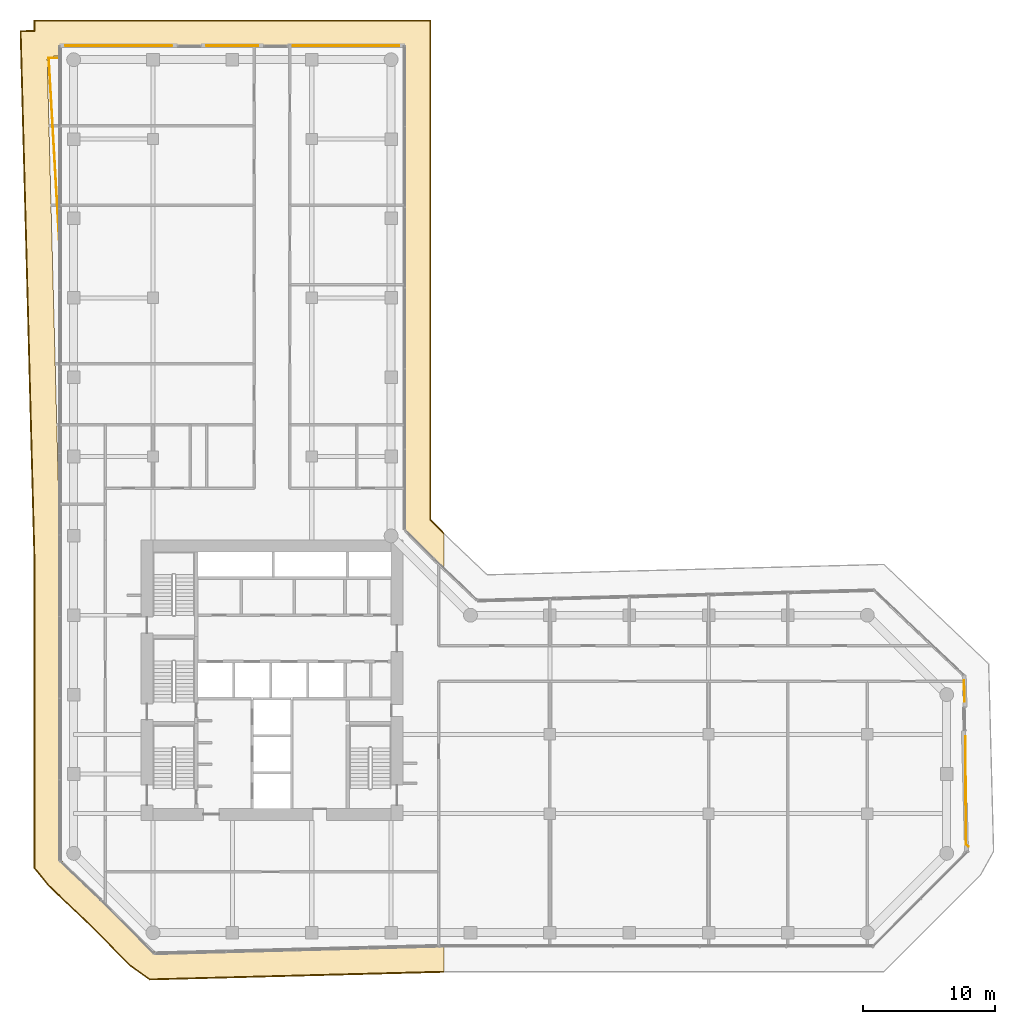
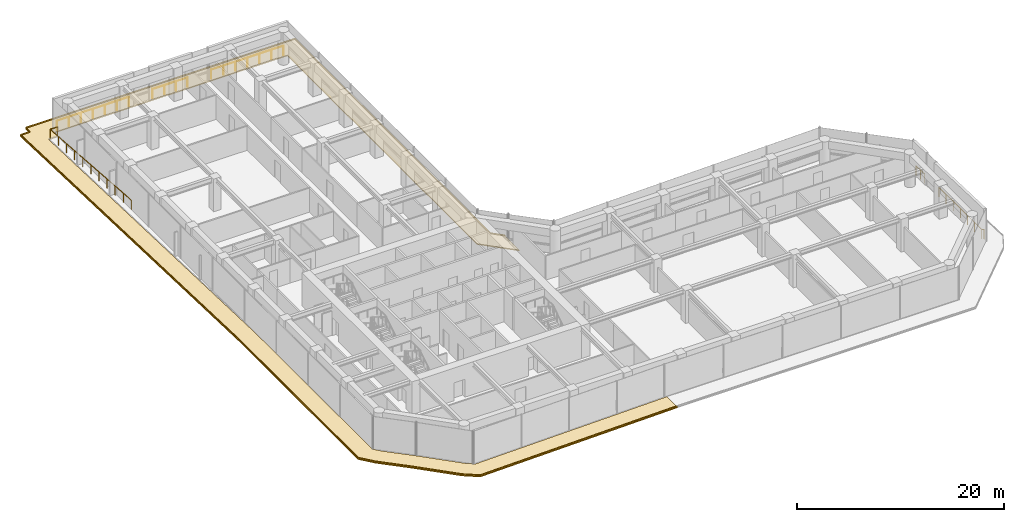
# One storey, part 29 of 29: 6 railings, 2 coverings.
"""IFC4 building model written with IfcOpenShell, lengths in metres."""

from ifc_helpers import new_model, si_unit, direction, frame, origin, origin_2d, place, context, subcontext, project, spatial, polyline, circle, outline, extrude, material, layer, layer_set, type_object, element, save


model = new_model("IFC4")

# Units and contexts
model_context = context("Model", 3, precision=1e-05, world=origin(), true_north=direction((0.0, 1.0)))
body_context = subcontext(model_context, "Body", "Model", "MODEL_VIEW")
ifc_project = project(units=[si_unit("LENGTHUNIT", "METRE"), si_unit("AREAUNIT", "SQUARE_METRE"), si_unit("VOLUMEUNIT", "CUBIC_METRE"), si_unit("PLANEANGLEUNIT", "RADIAN"), si_unit("MASSUNIT", "GRAM", prefix="KILO")], contexts=[model_context])

# Site, building, storey
site_placement = place(None, origin())
site = spatial("IfcSite", under=ifc_project, at=site_placement, CompositionType="ELEMENT")
building_placement = place(site_placement, origin())
building = spatial("IfcBuilding", under=site, at=building_placement, Name="Welwitschia Terrace Campus", CompositionType="ELEMENT")
storey_placement = place(building_placement, frame((0.0, 0.0, 58.39990234375)))
storey = spatial("IfcBuildingStorey", under=building, at=storey_placement, Name="L13", CompositionType="ELEMENT", Elevation=58.39990234375)

# Railings
ifc_material_1 = material(Name="Stainless steel grade 316", Category="steel")
railing_type = type_object("IfcRailingType", Name="Guard 1100", PredefinedType="GUARDRAIL", material=ifc_material_1)
railing_1_placement = place(storey_placement, frame((-1.05810546875, 47.89892578125, 0.0)))
element("IfcRailing", 1, at=railing_1_placement, inside=storey, type_object=railing_type, Name="Guard floor edge L13.0", PredefinedType="GUARDRAIL", context=body_context, shape_type="SweptSolid", body=[
    extrude(circle(Radius=0.02392578125, at=origin_2d()), frame((0.0, 0.0, 1.076171875), z_axis=(-0.057700925633, 0.998333913669, 0.0), x_axis=(-0.998333913669, -0.057700925633, 0.0)), (0.0, 0.0, 1.0), 14.254638671875),
    extrude(circle(Radius=0.02392578125, at=origin_2d()), frame((-0.822509765625, 14.23095703125, 1.076171875), z_axis=(0.999929523869, 0.011872122575, 0.0), x_axis=(-0.011872122575, 0.999929523869, 0.0)), (0.0, 0.0, 1.0), 0.822509765625),
    extrude(circle(Radius=0.02099609375, at=origin_2d()), origin(), (0.0, 0.0, 1.0), 1.052001953125),
    extrude(circle(Radius=0.02099609375, at=origin_2d()), frame((-0.082275390625, 1.423095703125, 0.0)), (0.0, 0.0, 1.0), 1.052001953125),
    extrude(circle(Radius=0.02099609375, at=origin_2d()), frame((-0.16455078125, 2.84619140625, 0.0)), (0.0, 0.0, 1.0), 1.052001953125),
    extrude(circle(Radius=0.02099609375, at=origin_2d()), frame((-0.246826171875, 4.269287109375, 0.0)), (0.0, 0.0, 1.0), 1.052001953125),
    extrude(circle(Radius=0.02099609375, at=origin_2d()), frame((-0.3291015625, 5.6923828125, 0.0)), (0.0, 0.0, 1.0), 1.052001953125),
    extrude(circle(Radius=0.02099609375, at=origin_2d()), frame((-0.4111328125, 7.115478515625, 0.0)), (0.0, 0.0, 1.0), 1.052001953125),
    extrude(circle(Radius=0.02099609375, at=origin_2d()), frame((-0.493408203125, 8.53857421875, 0.0)), (0.0, 0.0, 1.0), 1.052001953125),
    extrude(circle(Radius=0.02099609375, at=origin_2d()), frame((-0.57568359375, 9.961669921875, 0.0)), (0.0, 0.0, 1.0), 1.052001953125),
    extrude(circle(Radius=0.02099609375, at=origin_2d()), frame((-0.657958984375, 11.384765625, 0.0)), (0.0, 0.0, 1.0), 1.052001953125),
    extrude(circle(Radius=0.02099609375, at=origin_2d()), frame((-0.740234375, 12.807861328125, 0.0)), (0.0, 0.0, 1.0), 1.052001953125),
    extrude(circle(Radius=0.02099609375, at=origin_2d()), frame((-0.822509765625, 14.23095703125, 0.0)), (0.0, 0.0, 1.0), 1.052001953125),
    extrude(circle(Radius=0.02099609375, at=origin_2d()), frame((0.0, 14.24072265625, 0.0)), (0.0, 0.0, 1.0), 1.052001953125),
])
railing_2_placement = place(storey_placement, frame((-0.60791015625, 63.05810546875, 0.0)))
element("IfcRailing", 2, at=railing_2_placement, inside=storey, type_object=railing_type, Name="Guard floor edge L13.1", PredefinedType="GUARDRAIL", context=body_context, shape_type="SweptSolid", body=[
    extrude(circle(Radius=0.02392578125, at=origin_2d()), frame((0.0, 0.0, 1.076171875), z_axis=(1.0, 0.0, 0.0), x_axis=(0.0, 1.0, 0.0)), (0.0, 0.0, 1.0), 8.030517578125),
    extrude(circle(Radius=0.02099609375, at=origin_2d()), origin(), (0.0, 0.0, 1.0), 1.052001953125),
    extrude(circle(Radius=0.02099609375, at=origin_2d()), frame((1.33837890625, 0.0, 0.0)), (0.0, 0.0, 1.0), 1.052001953125),
    extrude(circle(Radius=0.02099609375, at=origin_2d()), frame((2.6767578125, 0.0, 0.0)), (0.0, 0.0, 1.0), 1.052001953125),
    extrude(circle(Radius=0.02099609375, at=origin_2d()), frame((4.01513671875, 0.0, 0.0)), (0.0, 0.0, 1.0), 1.052001953125),
    extrude(circle(Radius=0.02099609375, at=origin_2d()), frame((5.353759765625, 0.0, 0.0)), (0.0, 0.0, 1.0), 1.052001953125),
    extrude(circle(Radius=0.02099609375, at=origin_2d()), frame((6.692138671875, 0.0, 0.0)), (0.0, 0.0, 1.0), 1.052001953125),
    extrude(circle(Radius=0.02099609375, at=origin_2d()), frame((8.030517578125, 0.0, 0.0)), (0.0, 0.0, 1.0), 1.052001953125),
])
railing_3_placement = place(storey_placement, frame((10.048583984375, 63.05810546875, 0.0)))
element("IfcRailing", 3, at=railing_3_placement, inside=storey, type_object=railing_type, Name="Guard floor edge L13.2", PredefinedType="GUARDRAIL", context=body_context, shape_type="SweptSolid", body=[
    extrude(circle(Radius=0.02392578125, at=origin_2d()), frame((0.0, 0.0, 1.076171875), z_axis=(1.0, 0.0, 0.0), x_axis=(0.0, 1.0, 0.0)), (0.0, 0.0, 1.0), 3.90283203125),
    extrude(circle(Radius=0.02099609375, at=origin_2d()), origin(), (0.0, 0.0, 1.0), 1.052001953125),
    extrude(circle(Radius=0.02099609375, at=origin_2d()), frame((1.301025390625, 0.0, 0.0)), (0.0, 0.0, 1.0), 1.052001953125),
    extrude(circle(Radius=0.02099609375, at=origin_2d()), frame((2.601806640625, 0.0, 0.0)), (0.0, 0.0, 1.0), 1.052001953125),
    extrude(circle(Radius=0.02099609375, at=origin_2d()), frame((3.90283203125, 0.0, 0.0)), (0.0, 0.0, 1.0), 1.052001953125),
])
railing_4_placement = place(storey_placement, frame((16.577392578125, 63.05810546875, 0.0)))
element("IfcRailing", 4, at=railing_4_placement, inside=storey, type_object=railing_type, Name="Guard floor edge L13.3", PredefinedType="GUARDRAIL", context=body_context, shape_type="SweptSolid", body=[
    extrude(circle(Radius=0.02392578125, at=origin_2d()), frame((0.0, 0.0, 1.076171875), z_axis=(1.0, 0.0, 0.0), x_axis=(0.0, 1.0, 0.0)), (0.0, 0.0, 1.0), 8.030517578125),
    extrude(circle(Radius=0.02099609375, at=origin_2d()), origin(), (0.0, 0.0, 1.0), 1.052001953125),
    extrude(circle(Radius=0.02099609375, at=origin_2d()), frame((1.33837890625, 0.0, 0.0)), (0.0, 0.0, 1.0), 1.052001953125),
    extrude(circle(Radius=0.02099609375, at=origin_2d()), frame((2.6767578125, 0.0, 0.0)), (0.0, 0.0, 1.0), 1.052001953125),
    extrude(circle(Radius=0.02099609375, at=origin_2d()), frame((4.01513671875, 0.0, 0.0)), (0.0, 0.0, 1.0), 1.052001953125),
    extrude(circle(Radius=0.02099609375, at=origin_2d()), frame((5.353759765625, 0.0, 0.0)), (0.0, 0.0, 1.0), 1.052001953125),
    extrude(circle(Radius=0.02099609375, at=origin_2d()), frame((6.692138671875, 0.0, 0.0)), (0.0, 0.0, 1.0), 1.052001953125),
    extrude(circle(Radius=0.02099609375, at=origin_2d()), frame((8.030517578125, 0.0, 0.0)), (0.0, 0.0, 1.0), 1.052001953125),
])
railing_5_placement = place(storey_placement, frame((67.31298828125, 15.0703125, 0.0)))
element("IfcRailing", 5, at=railing_5_placement, inside=storey, type_object=railing_type, Name="Guard floor edge L13.4", PredefinedType="GUARDRAIL", context=body_context, shape_type="SweptSolid", body=[
    extrude(circle(Radius=0.02392578125, at=origin_2d()), frame((0.0, 0.0, 1.076171875), z_axis=(0.026126923718, -0.999658633663, 0.0), x_axis=(0.999658633663, 0.026126923718, 0.0)), (0.0, 0.0, 1.0), 1.607177734375),
    extrude(circle(Radius=0.02099609375, at=origin_2d()), origin(), (0.0, 0.0, 1.0), 1.052001953125),
    extrude(circle(Radius=0.02099609375, at=origin_2d()), frame((0.02099609375, -0.80322265625, 0.0)), (0.0, 0.0, 1.0), 1.052001953125),
    extrude(circle(Radius=0.02099609375, at=origin_2d()), frame((0.0419921875, -1.606689453125, 0.0)), (0.0, 0.0, 1.0), 1.052001953125),
])
railing_6_placement = place(storey_placement, frame((67.423828125, 10.83837890625, 0.0)))
element("IfcRailing", 6, at=railing_6_placement, inside=storey, type_object=railing_type, Name="Guard floor edge L13.5", PredefinedType="GUARDRAIL", context=body_context, shape_type="SweptSolid", body=[
    extrude(circle(Radius=0.02392578125, at=origin_2d()), frame((0.0, 0.0, 1.076171875), z_axis=(0.004389851986, -0.999990364553, 0.0), x_axis=(0.999990364553, 0.004389851986, 0.0)), (0.0, 0.0, 1.0), 8.17529296875),
    extrude(circle(Radius=0.02392578125, at=origin_2d()), frame((0.035888671875, -8.17529296875, 1.076171875), z_axis=(0.778314223048, -0.627874963828, 0.0), x_axis=(0.627874963828, 0.778314223048, 0.0)), (0.0, 0.0, 1.0), 0.233642578125),
    extrude(circle(Radius=0.02099609375, at=origin_2d()), origin(), (0.0, 0.0, 1.0), 1.052001953125),
    extrude(circle(Radius=0.02099609375, at=origin_2d()), frame((0.005859375, -1.362548828125, 0.0)), (0.0, 0.0, 1.0), 1.052001953125),
    extrude(circle(Radius=0.02099609375, at=origin_2d()), frame((0.011962890625, -2.72509765625, 0.0)), (0.0, 0.0, 1.0), 1.052001953125),
    extrude(circle(Radius=0.02099609375, at=origin_2d()), frame((0.01806640625, -4.087646484375, 0.0)), (0.0, 0.0, 1.0), 1.052001953125),
    extrude(circle(Radius=0.02099609375, at=origin_2d()), frame((0.02392578125, -5.4501953125, 0.0)), (0.0, 0.0, 1.0), 1.052001953125),
    extrude(circle(Radius=0.02099609375, at=origin_2d()), frame((0.02978515625, -6.812744140625, 0.0)), (0.0, 0.0, 1.0), 1.052001953125),
    extrude(circle(Radius=0.02099609375, at=origin_2d()), frame((0.035888671875, -8.17529296875, 0.0)), (0.0, 0.0, 1.0), 1.052001953125),
    extrude(circle(Radius=0.02099609375, at=origin_2d()), frame((0.2177734375, -8.322021484375, 0.0)), (0.0, 0.0, 1.0), 1.052001953125),
])

# Coverings
ifc_material_2 = material(Name="Bronze anodised aluminium", Category="aluminium")
ifc_layer_1 = layer(ifc_material_2, 0.1201171875)
ifc_layer_set_1 = layer_set([ifc_layer_1], Name="Bronze anodised aluminium")
covering_type_1 = type_object("IfcCoveringType", Name="Sunshade band 2000", PredefinedType="USERDEFINED", material=ifc_layer_set_1)
covering_1_placement = place(storey_placement, frame((0.0, 0.0, -0.25)))
element("IfcCovering", 7, at=covering_1_placement, inside=storey, type_object=covering_type_1, Name="SUNSHADE L13.SW0", ObjectType="SUNSHADE", PredefinedType="USERDEFINED", context=body_context, shape_type="SweptSolid", body=[
    extrude(outline(polyline([(-4.055419921875, 64.193603515625), (-3.0, 64.22119140625), (-3.0, 65.0), (27.0, 65.0), (27.0, 27.24267578125), (27.99609375, 26.246337890625), (27.99609375, 23.45849609375), (27.19970703125, 24.214599609375), (25.0, 26.414306640625), (25.0, 63.0), (-1.0, 63.0), (-1.0, 62.27294921875), (-2.00390625, 62.246826171875), (-1.0, 23.9150390625), (-1.0, 1.585693359375), (-0.39599609375, 0.853515625), (2.1181640625, -1.532470703125), (5.585693359375, -5.0), (6.35986328125, -5.5576171875), (27.99609375, -5.0), (27.99609375, -7.0), (5.738037109375, -7.574462890625), (4.285888671875, -6.5283203125), (0.722412109375, -2.965087890625), (-1.861328125, -0.51318359375), (-3.0, 0.867431640625), (-3.0, 23.888916015625), (-4.055419921875, 64.193603515625)])), origin(), (0.0, 0.0, 1.0), 0.1201171875),
])
ifc_material_3 = material(Name="Bronze anodised aluminium", Category="aluminium")
ifc_layer_2 = layer(ifc_material_3, 0.06005859375)
ifc_layer_set_2 = layer_set([ifc_layer_2], Name="Bronze anodised aluminium")
covering_type_2 = type_object("IfcCoveringType", Name="Sunshade lip 60", PredefinedType="USERDEFINED", material=ifc_layer_set_2)
covering_2_placement = place(storey_placement, frame((0.0, 0.0, -0.1298828125)))
element("IfcCovering", 8, at=covering_2_placement, inside=storey, type_object=covering_type_2, Name="SUNSHADE LIP L13.SW0.0", ObjectType="SUNSHADE", PredefinedType="USERDEFINED", context=body_context, shape_type="SweptSolid", body=[
    extrude(outline(polyline([(-3.0, 64.22119140625), (-3.0, 65.0), (27.0, 65.0), (27.0, 27.24267578125), (27.99609375, 26.246337890625), (27.99609375, 26.16162109375), (26.93994140625, 27.2177734375), (26.93994140625, 64.93994140625), (-2.93994140625, 64.93994140625), (-2.93994140625, 64.162841796875), (-3.993896484375, 64.13525390625), (-2.93994140625, 23.8896484375), (-2.93994140625, 0.888916015625), (-1.8173828125, -0.47216796875), (0.764404296875, -2.922119140625), (4.32470703125, -6.482666015625), (5.756591796875, -7.513916015625), (27.67724609375, -6.93994140625), (27.99609375, -6.93994140625), (27.99609375, -7.0), (5.738037109375, -7.574462890625), (4.285888671875, -6.5283203125), (0.722412109375, -2.965087890625), (-1.861328125, -0.51318359375), (-3.0, 0.867431640625), (-3.0, 23.888916015625), (-4.055419921875, 64.193603515625), (-3.0, 64.22119140625)])), origin(), (0.0, 0.0, 1.0), 0.1298828125),
])

save(model, "model.ifc")
